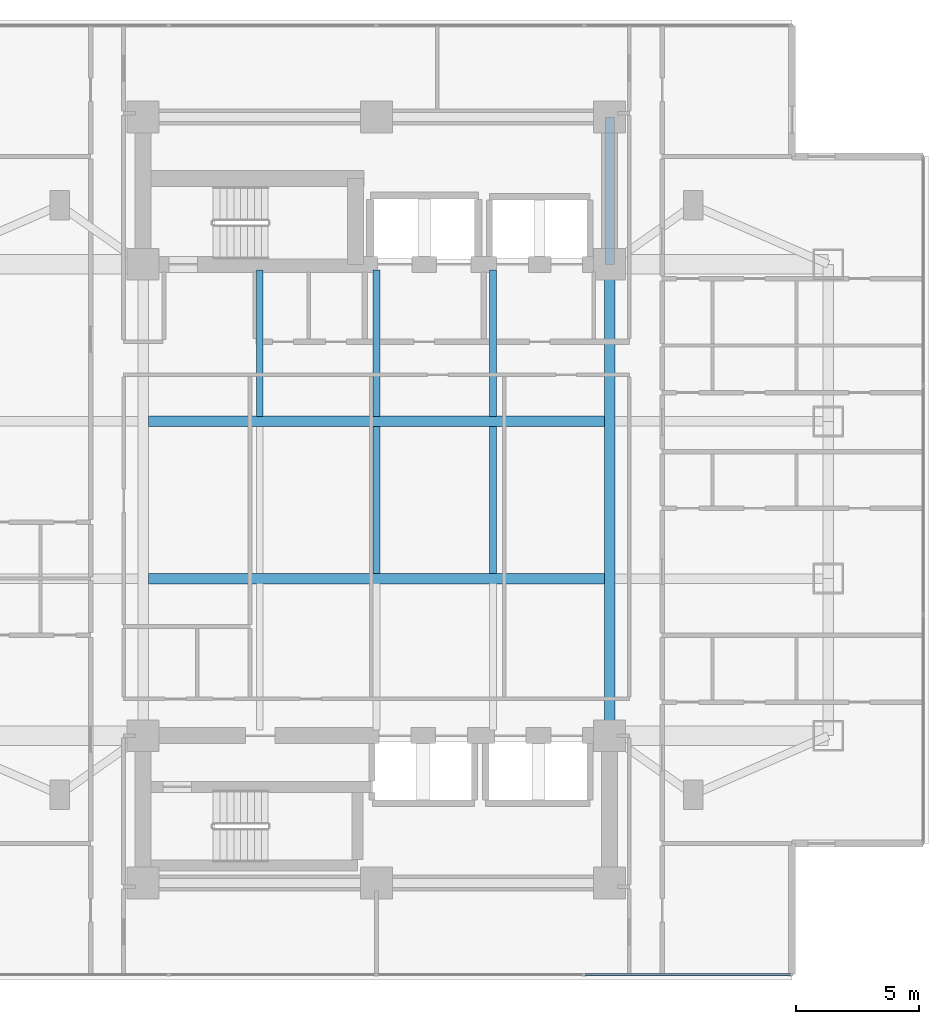
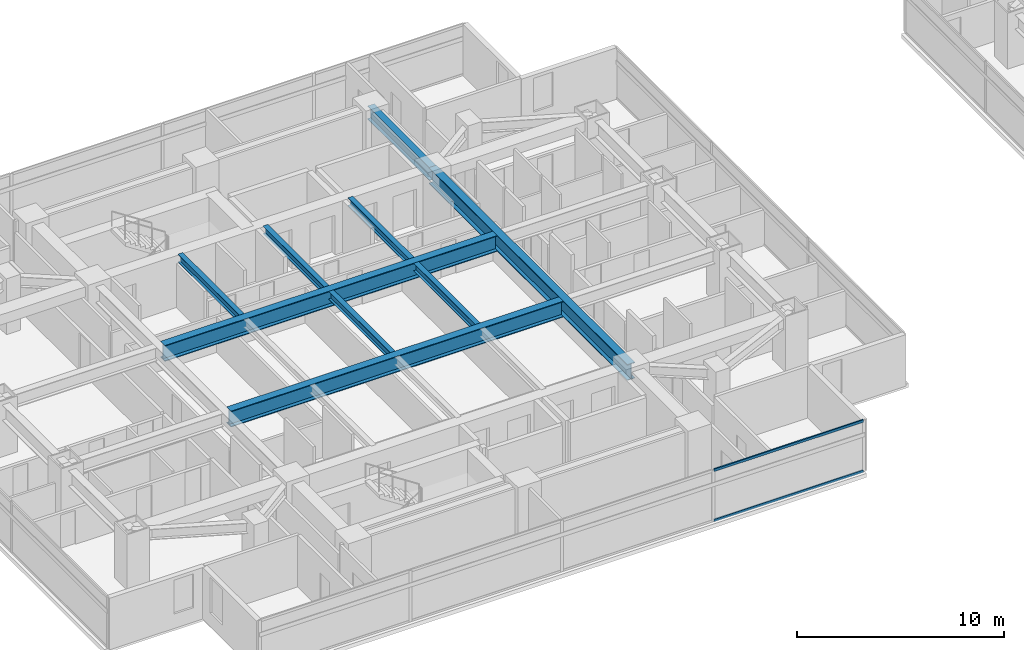
# One storey, part 4 of 24: 9 beams, 2 members, 1 element without a shape of its own.
"""IFC4 building model written with IfcOpenShell, lengths in metres."""

from ifc_helpers import new_model, si_unit, direction, frame, origin, origin_2d, place, context, subcontext, project, spatial, rectangle, i_section, extrude, material, material_profile, profile_set, type_object, element, aggregate, save


model = new_model("IFC4")

# Units and contexts
model_context = context("Model", 3, precision=1e-05, world=origin(), true_north=direction((0.0, 1.0)))
body_context = subcontext(model_context, "Body", "Model", "MODEL_VIEW")
ifc_project = project(units=[si_unit("LENGTHUNIT", "METRE"), si_unit("AREAUNIT", "SQUARE_METRE"), si_unit("VOLUMEUNIT", "CUBIC_METRE"), si_unit("PLANEANGLEUNIT", "RADIAN"), si_unit("MASSUNIT", "GRAM", prefix="KILO")], contexts=[model_context])

# Site, building, storey
site_placement = place(None, origin())
site = spatial("IfcSite", under=ifc_project, at=site_placement, CompositionType="ELEMENT")
building_placement = place(site_placement, origin())
building = spatial("IfcBuilding", under=site, at=building_placement, Name="Mirazonda Arch Towers", CompositionType="ELEMENT")
storey_placement = place(building_placement, frame((0.0, 0.0, 71.89990234375)))
storey = spatial("IfcBuildingStorey", under=building, at=storey_placement, Name="L20", CompositionType="ELEMENT", Elevation=71.89990234375)

# Beams
ifc_material_1 = material(Name="Steel ASTM A992 Grade 50", Category="steel")
ifc_material_profile_1 = material_profile(ifc_material_1, i_section(OverallWidth=0.280029296875, OverallDepth=0.462890625, WebThickness=0.0107421875, FlangeThickness=0.017333984375, at=origin_2d()), Name="W18X76")
ifc_profile_set_1 = profile_set([ifc_material_profile_1], Name="Steel ASTM A992 Grade 50")
beam_type_1 = type_object("IfcBeamType", Name="BM-INT-W18X76", PredefinedType="JOIST", material=ifc_profile_set_1)
for number, where, z_axis, x_axis, name in (
    (1, (15.75, 31.407470703125, 2.82861328125), (0.0, 1.0, 0.0), (-1.0, 0.0, 0.0), "L20 Floor Beam BM-T1-L20-J-157-31"),
    (2, (20.5, 31.407470703125, 2.82861328125), (0.0, 1.0, 0.0), (-1.0, 0.0, 0.0), "L20 Floor Beam BM-T1-L20-J-205-31"),
):
    element("IfcBeam", number, at=place(storey_placement, frame(where, z_axis=z_axis, x_axis=x_axis)), inside=storey, type_object=beam_type_1, Name=name, PredefinedType="JOIST", context=body_context, shape_type="SweptSolid", body=[
        extrude(i_section(OverallWidth=0.280029296875, OverallDepth=0.462890625, WebThickness=0.0107421875, FlangeThickness=0.017333984375, at=origin_2d()), origin(), (0.0, 0.0, 1.0), 5.95263671875),
    ])
beam_1_placement = place(storey_placement, frame((20.5, 25.007568359375, 2.82861328125), z_axis=(0.0, 1.0, 0.0), x_axis=(-1.0, 0.0, 0.0)))
element("IfcBeam", 3, at=beam_1_placement, inside=storey, type_object=beam_type_1, Name="L20 Floor Beam BM-T1-L20-J-205-24", PredefinedType="JOIST", context=body_context, shape_type="SweptSolid", body=[
    extrude(i_section(OverallWidth=0.280029296875, OverallDepth=0.462890625, WebThickness=0.0107421875, FlangeThickness=0.017333984375, at=origin_2d()), origin(), (0.0, 0.0, 1.0), 5.98486328125),
])
beam_2_placement = place(storey_placement, frame((25.25, 31.407470703125, 2.82861328125), z_axis=(0.0, 1.0, 0.0), x_axis=(-1.0, 0.0, 0.0)))
element("IfcBeam", 4, at=beam_2_placement, inside=storey, type_object=beam_type_1, Name="L20 Floor Beam BM-T1-L20-J-252-31", PredefinedType="JOIST", context=body_context, shape_type="SweptSolid", body=[
    extrude(i_section(OverallWidth=0.280029296875, OverallDepth=0.462890625, WebThickness=0.0107421875, FlangeThickness=0.017333984375, at=origin_2d()), origin(), (0.0, 0.0, 1.0), 5.95263671875),
])
beam_3_placement = place(storey_placement, frame((25.25, 25.007568359375, 2.82861328125), z_axis=(0.0, 1.0, 0.0), x_axis=(-1.0, 0.0, 0.0)))
element("IfcBeam", 5, at=beam_3_placement, inside=storey, type_object=beam_type_1, Name="L20 Floor Beam BM-T1-L20-J-252-24", PredefinedType="JOIST", context=body_context, shape_type="SweptSolid", body=[
    extrude(i_section(OverallWidth=0.280029296875, OverallDepth=0.462890625, WebThickness=0.0107421875, FlangeThickness=0.017333984375, at=origin_2d()), origin(), (0.0, 0.0, 1.0), 5.98486328125),
])
ifc_material_profile_2 = material_profile(ifc_material_1, i_section(OverallWidth=0.381103515625, OverallDepth=0.77294921875, WebThickness=0.0166015625, FlangeThickness=0.027099609375, at=origin_2d()), Name="W30X173")
ifc_profile_set_2 = profile_set([ifc_material_profile_2], Name="Steel ASTM A992 Grade 50")
beam_type_2 = type_object("IfcBeamType", Name="BM-INT-W30X173", PredefinedType="USERDEFINED", material=ifc_profile_set_2)
beam_4_placement = place(storey_placement, frame((30.0, 37.60009765625, 2.673583984375), z_axis=(0.0, 1.0, 0.0), x_axis=(-1.0, 0.0, 0.0)))
element("IfcBeam", 6, at=beam_4_placement, inside=storey, type_object=beam_type_2, Name="L20 Floor Beam BM-T1-L20-CNE", ObjectType="GIRDER", PredefinedType="USERDEFINED", context=body_context, shape_type="SweptSolid", body=[
    extrude(i_section(OverallWidth=0.381103515625, OverallDepth=0.77294921875, WebThickness=0.0166015625, FlangeThickness=0.027099609375, at=origin_2d()), origin(), (0.0, 0.0, 1.0), 6.0),
])
ifc_material_profile_3 = material_profile(ifc_material_1, i_section(OverallWidth=0.423095703125, OverallDepth=0.947998046875, WebThickness=0.02392578125, FlangeThickness=0.042724609375, at=origin_2d()), Name="W36X302")
ifc_profile_set_3 = profile_set([ifc_material_profile_3], Name="Steel ASTM A992 Grade 50")
beam_type_3 = type_object("IfcBeamType", Name="BM-INT-W36X302", PredefinedType="USERDEFINED", material=ifc_profile_set_3)
for number, where, z_axis, x_axis, name in (
    (7, (11.21142578125, 24.800048828125, 2.586181640625), (1.0, 0.0, 0.0), (0.0, 1.0, 0.0), "L20 Floor Beam BM-T1-L20-GC2"),
    (8, (11.21142578125, 31.199951171875, 2.586181640625), (1.0, 0.0, 0.0), (0.0, 1.0, 0.0), "L20 Floor Beam BM-T1-L20-GC3"),
):
    element("IfcBeam", number, at=place(storey_placement, frame(where, z_axis=z_axis, x_axis=x_axis)), inside=storey, type_object=beam_type_3, Name=name, ObjectType="GIRDER", PredefinedType="USERDEFINED", context=body_context, shape_type="SweptSolid", body=[
        extrude(i_section(OverallWidth=0.423095703125, OverallDepth=0.947998046875, WebThickness=0.02392578125, FlangeThickness=0.042724609375, at=origin_2d()), origin(), (0.0, 0.0, 1.0), 18.5771484375),
    ])
beam_5_placement = place(storey_placement, frame((30.0, 18.39990234375, 2.586181640625), z_axis=(0.0, 1.0, 0.0), x_axis=(-1.0, 0.0, 0.0)))
element("IfcBeam", 9, at=beam_5_placement, inside=storey, type_object=beam_type_3, Name="L20 Floor Beam BM-T1-L20-NS-CE-FULL", ObjectType="GIRDER", PredefinedType="USERDEFINED", context=body_context, shape_type="SweptSolid", body=[
    extrude(i_section(OverallWidth=0.423095703125, OverallDepth=0.947998046875, WebThickness=0.02392578125, FlangeThickness=0.042724609375, at=origin_2d()), origin(), (0.0, 0.0, 1.0), 19.2001953125),
])

# Curtain wall, members
ifc_material_2 = material(Name="Anodised Aluminium and Low-E Glass", Category="aluminium")
curtain_wall_type = type_object("IfcCurtainWallType", Name="CW-HTL-UNIT", PredefinedType="NOTDEFINED", material=ifc_material_2)
curtain_wall_placement = place(storey_placement, origin())
curtain_wall = element("IfcCurtainWall", 10, at=curtain_wall_placement, inside=storey, type_object=curtain_wall_type, Name="L20 T1 S Facade CW-L20-T1-S", PredefinedType="NOTDEFINED")
ifc_material_3 = material(Name="Anodised Aluminium Alloy", Category="aluminium")
ifc_material_profile_4 = material_profile(ifc_material_3, rectangle(XDim=0.074951171875, YDim=0.14501953125, at=origin_2d()), Name="ALU-TRAN-75x145")
ifc_profile_set_4 = profile_set([ifc_material_profile_4], Name="Anodised Aluminium Alloy")
member_type = type_object("IfcMemberType", Name="TRAN-CW-HTL-UNIT", PredefinedType="USERDEFINED", material=ifc_profile_set_4)
member_1_placement = place(storey_placement, frame((37.344970703125, 8.672119140625, 0.03759765625), z_axis=(-1.0, 0.0, 0.0), x_axis=(0.0, -1.0, 0.0)))
member_1 = element("IfcMember", 11, at=member_1_placement, type_object=member_type, Name="CW-112 transom 1.1", ObjectType="TRANSOM", PredefinedType="USERDEFINED", context=body_context, shape_type="SweptSolid", body=[
    extrude(rectangle(XDim=0.074951171875, YDim=0.14501953125, at=origin_2d()), origin(), (0.0, 0.0, 1.0), 8.347412109375),
])
member_2_placement = place(storey_placement, frame((37.344970703125, 8.672119140625, 3.002685546875), z_axis=(-1.0, 0.0, 0.0), x_axis=(0.0, -1.0, 0.0)))
member_2 = element("IfcMember", 12, at=member_2_placement, type_object=member_type, Name="CW-112 transom 1.2", ObjectType="TRANSOM", PredefinedType="USERDEFINED", context=body_context, shape_type="SweptSolid", body=[
    extrude(rectangle(XDim=0.074951171875, YDim=0.14501953125, at=origin_2d()), origin(), (0.0, 0.0, 1.0), 8.347412109375),
])
aggregate(curtain_wall, [member_1, member_2])

save(model, "model.ifc")
